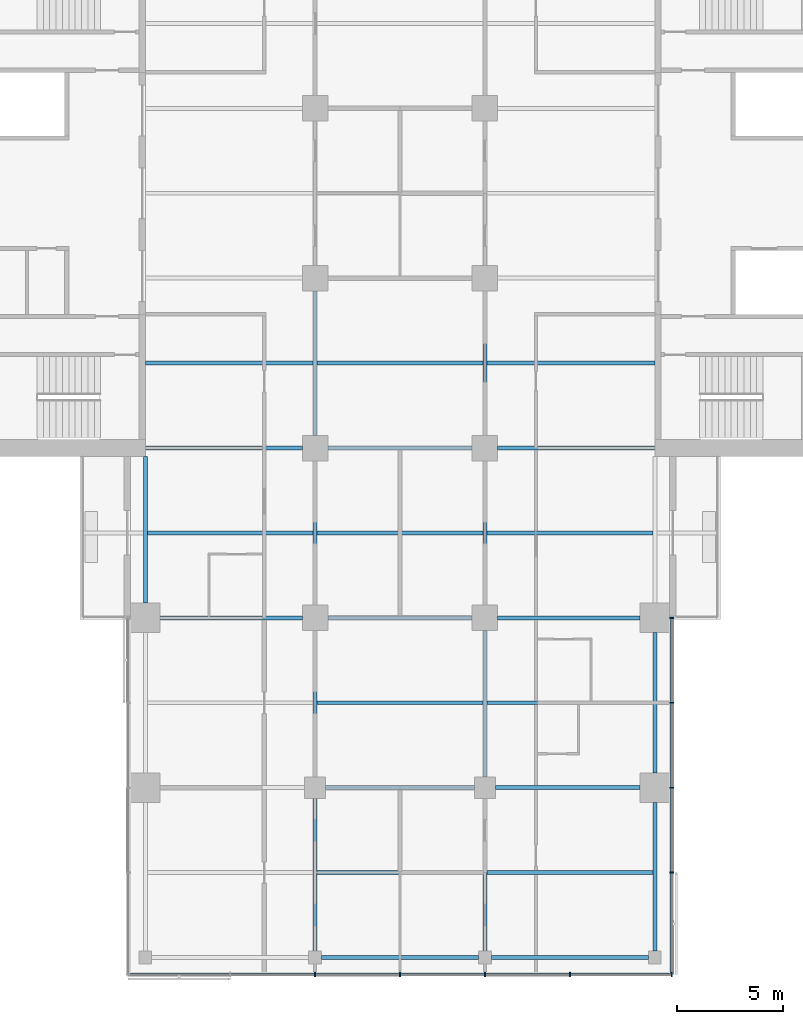
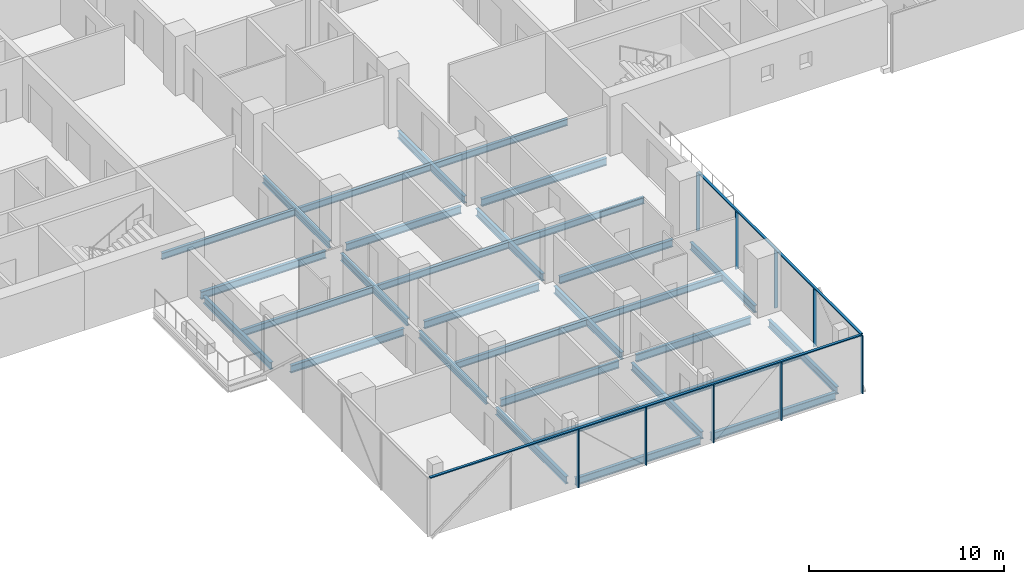
# One storey, part 4 of 27: 31 beams, 11 members, 2 elements without a shape of their own.
"""IFC4 building model written with IfcOpenShell, lengths in metres."""

from ifc_helpers import new_model, si_unit, direction, frame, origin, origin_2d, place, context, subcontext, project, spatial, rectangle, i_section, extrude, material, material_profile, profile_set, type_object, element, aggregate, save


model = new_model("IFC4")

# Units and contexts
model_context = context("Model", 3, precision=1e-05, world=origin(), true_north=direction((0.0, 1.0)))
body_context = subcontext(model_context, "Body", "Model", "MODEL_VIEW")
ifc_project = project(units=[si_unit("LENGTHUNIT", "METRE"), si_unit("AREAUNIT", "SQUARE_METRE"), si_unit("VOLUMEUNIT", "CUBIC_METRE"), si_unit("PLANEANGLEUNIT", "RADIAN"), si_unit("MASSUNIT", "GRAM", prefix="KILO")], contexts=[model_context])

# Site, building, storey
site_placement = place(None, origin())
site = spatial("IfcSite", under=ifc_project, at=site_placement, CompositionType="ELEMENT")
building_placement = place(site_placement, origin())
building = spatial("IfcBuilding", under=site, at=building_placement, Name="Crosswind Convention Tower", CompositionType="ELEMENT")
storey_placement = place(building_placement, frame((0.0, 0.0, 86.800048828125)))
storey = spatial("IfcBuildingStorey", under=building, at=storey_placement, Name="L16", CompositionType="ELEMENT", Elevation=86.800048828125)

# Beams
ifc_material_1 = material(Name="Steel S355", Category="steel")
ifc_material_profile_1 = material_profile(ifc_material_1, i_section(OverallWidth=0.1904296875, OverallDepth=0.457275390625, WebThickness=0.009033203125, FlangeThickness=0.014404296875, FilletRadius=0.01025390625, at=origin_2d()), Name="UB 457x191x75")
ifc_profile_set_1 = profile_set([ifc_material_profile_1], Name="Steel S355")
beam_type_1 = type_object("IfcBeamType", Name="Edge beam UB 457x191x75", PredefinedType="SPANDREL", material=ifc_profile_set_1)
beam_1_placement = place(storey_placement, frame((113.0, 80.699951171875, -0.508544921875), z_axis=(0.0, 1.0, 0.0), x_axis=(-1.0, 0.0, 0.0)))
element("IfcBeam", 1, at=beam_1_placement, inside=storey, type_object=beam_type_1, Name="B17 L16 edge beam 8", PredefinedType="SPANDREL", context=body_context, shape_type="SweptSolid", body=[
    extrude(i_section(OverallWidth=0.1904296875, OverallDepth=0.457275390625, WebThickness=0.009033203125, FlangeThickness=0.014404296875, FilletRadius=0.01025390625, at=origin_2d()), origin(), (0.0, 0.0, 1.0), 6.900146484375),
])
for number, where, z_axis, x_axis, name in (
    (2, (121.300048828125, 64.0, -0.508544921875), (1.0, 0.0, 0.0), (0.0, 1.0, 0.0), "B17 L16 edge beam 14"),
    (3, (129.300048828125, 64.0, -0.508544921875), (1.0, 0.0, 0.0), (0.0, 1.0, 0.0), "B17 L16 edge beam 16"),
):
    element("IfcBeam", number, at=place(storey_placement, frame(where, z_axis=z_axis, x_axis=x_axis)), inside=storey, type_object=beam_type_1, Name=name, PredefinedType="SPANDREL", context=body_context, shape_type="SweptSolid", body=[
        extrude(i_section(OverallWidth=0.1904296875, OverallDepth=0.457275390625, WebThickness=0.009033203125, FlangeThickness=0.014404296875, FilletRadius=0.01025390625, at=origin_2d()), origin(), (0.0, 0.0, 1.0), 7.39990234375),
    ])
beam_2_placement = place(storey_placement, frame((137.0, 64.300048828125, -0.508544921875), z_axis=(0.0, 1.0, 0.0), x_axis=(-1.0, 0.0, 0.0)))
element("IfcBeam", 4, at=beam_2_placement, inside=storey, type_object=beam_type_1, Name="B17 L16 edge beam 18", PredefinedType="SPANDREL", context=body_context, shape_type="SweptSolid", body=[
    extrude(i_section(OverallWidth=0.1904296875, OverallDepth=0.457275390625, WebThickness=0.009033203125, FlangeThickness=0.014404296875, FilletRadius=0.01025390625, at=origin_2d()), origin(), (0.0, 0.0, 1.0), 7.0),
])
beam_3_placement = place(storey_placement, frame((137.0, 72.699951171875, -0.508544921875), z_axis=(0.0, 1.0, 0.0), x_axis=(-1.0, 0.0, 0.0)))
element("IfcBeam", 5, at=beam_3_placement, inside=storey, type_object=beam_type_1, Name="B17 L16 edge beam 19", PredefinedType="SPANDREL", context=body_context, shape_type="SweptSolid", body=[
    extrude(i_section(OverallWidth=0.1904296875, OverallDepth=0.457275390625, WebThickness=0.009033203125, FlangeThickness=0.014404296875, FilletRadius=0.01025390625, at=origin_2d()), origin(), (0.0, 0.0, 1.0), 6.60009765625),
])
ifc_material_profile_2 = material_profile(ifc_material_1, i_section(OverallWidth=0.19140625, OverallDepth=0.460205078125, WebThickness=0.010009765625, FlangeThickness=0.01611328125, FilletRadius=0.01025390625, at=origin_2d()), Name="UB 457x191x82")
ifc_profile_set_2 = profile_set([ifc_material_profile_2], Name="Steel S355")
beam_type_2 = type_object("IfcBeamType", Name="Girder UB 457x191x82", PredefinedType="BEAM", material=ifc_profile_set_2)
beam_4_placement = place(storey_placement, frame((113.699951171875, 80.0, -0.51025390625), z_axis=(1.0, 0.0, 0.0), x_axis=(0.0, 1.0, 0.0)))
element("IfcBeam", 6, at=beam_4_placement, inside=storey, type_object=beam_type_2, Name="B3 L16 girder 2", PredefinedType="BEAM", context=body_context, shape_type="SweptSolid", body=[
    extrude(i_section(OverallWidth=0.19140625, OverallDepth=0.460205078125, WebThickness=0.010009765625, FlangeThickness=0.01611328125, FilletRadius=0.01025390625, at=origin_2d()), origin(), (0.0, 0.0, 1.0), 6.699951171875),
])
beam_5_placement = place(storey_placement, frame((121.0, 64.300048828125, -0.51025390625), z_axis=(0.0, 1.0, 0.0), x_axis=(-1.0, 0.0, 0.0)))
element("IfcBeam", 7, at=beam_5_placement, inside=storey, type_object=beam_type_2, Name="B3 L16 girder 5", PredefinedType="BEAM", context=body_context, shape_type="SweptSolid", body=[
    extrude(i_section(OverallWidth=0.19140625, OverallDepth=0.460205078125, WebThickness=0.010009765625, FlangeThickness=0.01611328125, FilletRadius=0.01025390625, at=origin_2d()), origin(), (0.0, 0.0, 1.0), 7.199951171875),
])
beam_6_placement = place(storey_placement, frame((121.0, 72.5, -0.51025390625), z_axis=(0.0, 1.0, 0.0), x_axis=(-1.0, 0.0, 0.0)))
element("IfcBeam", 8, at=beam_6_placement, inside=storey, type_object=beam_type_2, Name="B3 L16 girder 6", PredefinedType="BEAM", context=body_context, shape_type="SweptSolid", body=[
    extrude(i_section(OverallWidth=0.19140625, OverallDepth=0.460205078125, WebThickness=0.010009765625, FlangeThickness=0.01611328125, FilletRadius=0.01025390625, at=origin_2d()), origin(), (0.0, 0.0, 1.0), 6.89990234375),
])
for number, where, z_axis, x_axis, name in (
    (9, (121.0, 80.60009765625, -0.51025390625), (0.0, 1.0, 0.0), (-1.0, 0.0, 0.0), "B3 L16 girder 7"),
    (10, (121.0, 88.60009765625, -0.51025390625), (0.0, 1.0, 0.0), (-1.0, 0.0, 0.0), "B3 L16 girder 8"),
):
    element("IfcBeam", number, at=place(storey_placement, frame(where, z_axis=z_axis, x_axis=x_axis)), inside=storey, type_object=beam_type_2, Name=name, PredefinedType="BEAM", context=body_context, shape_type="SweptSolid", body=[
        extrude(i_section(OverallWidth=0.19140625, OverallDepth=0.460205078125, WebThickness=0.010009765625, FlangeThickness=0.01611328125, FilletRadius=0.01025390625, at=origin_2d()), origin(), (0.0, 0.0, 1.0), 6.7998046875),
    ])
beam_7_placement = place(storey_placement, frame((121.5, 72.0, -0.51025390625), z_axis=(1.0, 0.0, 0.0), x_axis=(0.0, 1.0, 0.0)))
element("IfcBeam", 11, at=beam_7_placement, inside=storey, type_object=beam_type_2, Name="B3 L16 girder 14", PredefinedType="BEAM", context=body_context, shape_type="SweptSolid", body=[
    extrude(i_section(OverallWidth=0.19140625, OverallDepth=0.460205078125, WebThickness=0.010009765625, FlangeThickness=0.01611328125, FilletRadius=0.01025390625, at=origin_2d()), origin(), (0.0, 0.0, 1.0), 7.0),
])
for number, where, z_axis, x_axis, name in (
    (12, (121.60009765625, 80.0, -0.51025390625), (1.0, 0.0, 0.0), (0.0, 1.0, 0.0), "B3 L16 girder 16"),
    (13, (121.60009765625, 88.0, -0.51025390625), (1.0, 0.0, 0.0), (0.0, 1.0, 0.0), "B3 L16 girder 17"),
):
    element("IfcBeam", number, at=place(storey_placement, frame(where, z_axis=z_axis, x_axis=x_axis)), inside=storey, type_object=beam_type_2, Name=name, PredefinedType="BEAM", context=body_context, shape_type="SweptSolid", body=[
        extrude(i_section(OverallWidth=0.19140625, OverallDepth=0.460205078125, WebThickness=0.010009765625, FlangeThickness=0.01611328125, FilletRadius=0.01025390625, at=origin_2d()), origin(), (0.0, 0.0, 1.0), 6.7998046875),
    ])
beam_8_placement = place(storey_placement, frame((129.0, 64.300048828125, -0.51025390625), z_axis=(0.0, 1.0, 0.0), x_axis=(-1.0, 0.0, 0.0)))
element("IfcBeam", 14, at=beam_8_placement, inside=storey, type_object=beam_type_2, Name="B3 L16 girder 22", PredefinedType="BEAM", context=body_context, shape_type="SweptSolid", body=[
    extrude(i_section(OverallWidth=0.19140625, OverallDepth=0.460205078125, WebThickness=0.010009765625, FlangeThickness=0.01611328125, FilletRadius=0.01025390625, at=origin_2d()), origin(), (0.0, 0.0, 1.0), 7.199951171875),
])
beam_9_placement = place(storey_placement, frame((129.0, 72.5, -0.51025390625), z_axis=(0.0, 1.0, 0.0), x_axis=(-1.0, 0.0, 0.0)))
element("IfcBeam", 15, at=beam_9_placement, inside=storey, type_object=beam_type_2, Name="B3 L16 girder 23", PredefinedType="BEAM", context=body_context, shape_type="SweptSolid", body=[
    extrude(i_section(OverallWidth=0.19140625, OverallDepth=0.460205078125, WebThickness=0.010009765625, FlangeThickness=0.01611328125, FilletRadius=0.01025390625, at=origin_2d()), origin(), (0.0, 0.0, 1.0), 6.89990234375),
])
for number, where, z_axis, x_axis, name in (
    (16, (129.0, 80.60009765625, -0.51025390625), (0.0, 1.0, 0.0), (-1.0, 0.0, 0.0), "B3 L16 girder 24"),
    (17, (129.0, 88.60009765625, -0.51025390625), (0.0, 1.0, 0.0), (-1.0, 0.0, 0.0), "B3 L16 girder 25"),
):
    element("IfcBeam", number, at=place(storey_placement, frame(where, z_axis=z_axis, x_axis=x_axis)), inside=storey, type_object=beam_type_2, Name=name, PredefinedType="BEAM", context=body_context, shape_type="SweptSolid", body=[
        extrude(i_section(OverallWidth=0.19140625, OverallDepth=0.460205078125, WebThickness=0.010009765625, FlangeThickness=0.01611328125, FilletRadius=0.01025390625, at=origin_2d()), origin(), (0.0, 0.0, 1.0), 6.7998046875),
    ])
beam_10_placement = place(storey_placement, frame((129.5, 72.0, -0.51025390625), z_axis=(1.0, 0.0, 0.0), x_axis=(0.0, 1.0, 0.0)))
element("IfcBeam", 18, at=beam_10_placement, inside=storey, type_object=beam_type_2, Name="B3 L16 girder 31", PredefinedType="BEAM", context=body_context, shape_type="SweptSolid", body=[
    extrude(i_section(OverallWidth=0.19140625, OverallDepth=0.460205078125, WebThickness=0.010009765625, FlangeThickness=0.01611328125, FilletRadius=0.01025390625, at=origin_2d()), origin(), (0.0, 0.0, 1.0), 6.800048828125),
])
beam_11_placement = place(storey_placement, frame((129.60009765625, 80.0, -0.51025390625), z_axis=(1.0, 0.0, 0.0), x_axis=(0.0, 1.0, 0.0)))
element("IfcBeam", 19, at=beam_11_placement, inside=storey, type_object=beam_type_2, Name="B3 L16 girder 33", PredefinedType="BEAM", context=body_context, shape_type="SweptSolid", body=[
    extrude(i_section(OverallWidth=0.19140625, OverallDepth=0.460205078125, WebThickness=0.010009765625, FlangeThickness=0.01611328125, FilletRadius=0.01025390625, at=origin_2d()), origin(), (0.0, 0.0, 1.0), 6.699951171875),
])
ifc_material_profile_3 = material_profile(ifc_material_1, i_section(OverallWidth=0.19189453125, OverallDepth=0.463623046875, WebThickness=0.010498046875, FlangeThickness=0.017578125, FilletRadius=0.01025390625, at=origin_2d()), Name="UB 457x191x90")
ifc_profile_set_3 = profile_set([ifc_material_profile_3], Name="Steel S355")
beam_type_3 = type_object("IfcBeamType", Name="Girder at core wall UB 457x191x90", PredefinedType="BEAM", material=ifc_profile_set_3)
for number, where, z_axis, x_axis, name in (
    (20, (113.0, 88.0, -0.511962890625), (1.0, 0.0, 0.0), (0.0, 1.0, 0.0), "B24 L16 girder at core wall 3"),
    (21, (129.60009765625, 88.0, -0.511962890625), (1.0, 0.0, 0.0), (0.0, 1.0, 0.0), "B24 L16 girder at core wall 7"),
):
    element("IfcBeam", number, at=place(storey_placement, frame(where, z_axis=z_axis, x_axis=x_axis)), inside=storey, type_object=beam_type_3, Name=name, PredefinedType="BEAM", context=body_context, shape_type="SweptSolid", body=[
        extrude(i_section(OverallWidth=0.19189453125, OverallDepth=0.463623046875, WebThickness=0.010498046875, FlangeThickness=0.017578125, FilletRadius=0.01025390625, at=origin_2d()), origin(), (0.0, 0.0, 1.0), 7.39990234375),
    ])

# Curtain wall, members
ifc_material_2 = material(Name="Aluminium unitised curtain wall", Category="aluminium")
curtain_wall_type = type_object("IfcCurtainWallType", Name="HOTEL UNITISED WALL 200", PredefinedType="USERDEFINED", material=ifc_material_2)
curtain_wall_1_placement = place(storey_placement, origin())
curtain_wall_1 = element("IfcCurtainWall", 22, at=curtain_wall_1_placement, inside=storey, type_object=curtain_wall_type, Name="CW2 L16 S-TIP 1", ObjectType="UNITISED", PredefinedType="USERDEFINED")
ifc_material_3 = material(Name="Aluminium mullion", Category="aluminium")
ifc_material_profile_4 = material_profile(ifc_material_3, rectangle(XDim=0.199951171875, YDim=0.06494140625, at=origin_2d()), Name="AL 200X65")
ifc_profile_set_4 = profile_set([ifc_material_profile_4], Name="Aluminium mullion")
member_type_1 = type_object("IfcMemberType", Name="MULLION 65X200", PredefinedType="MULLION", material=ifc_profile_set_4)
member_1_placement = place(storey_placement, frame((121.0, 63.199951171875, -0.280029296875), z_axis=(0.0, 0.0, 1.0), x_axis=(0.0, -1.0, 0.0)))
member_1 = element("IfcMember", 23, at=member_1_placement, type_object=member_type_1, Name="CW2 mullion 3", PredefinedType="MULLION", context=body_context, shape_type="SweptSolid", body=[
    extrude(rectangle(XDim=0.199951171875, YDim=0.06494140625, at=origin_2d()), origin(), (0.0, 0.0, 1.0), 3.635009765625),
])
member_2_placement = place(storey_placement, frame((125.0, 63.199951171875, -0.280029296875), z_axis=(0.0, 0.0, 1.0), x_axis=(0.0, -1.0, 0.0)))
member_2 = element("IfcMember", 24, at=member_2_placement, type_object=member_type_1, Name="CW2 mullion 4", PredefinedType="MULLION", context=body_context, shape_type="SweptSolid", body=[
    extrude(rectangle(XDim=0.199951171875, YDim=0.06494140625, at=origin_2d()), origin(), (0.0, 0.0, 1.0), 3.635009765625),
])
member_3_placement = place(storey_placement, frame((129.0, 63.199951171875, -0.280029296875), z_axis=(0.0, 0.0, 1.0), x_axis=(0.0, -1.0, 0.0)))
member_3 = element("IfcMember", 25, at=member_3_placement, type_object=member_type_1, Name="CW2 mullion 5", PredefinedType="MULLION", context=body_context, shape_type="SweptSolid", body=[
    extrude(rectangle(XDim=0.199951171875, YDim=0.06494140625, at=origin_2d()), origin(), (0.0, 0.0, 1.0), 3.635009765625),
])
member_4_placement = place(storey_placement, frame((133.0, 63.199951171875, -0.280029296875), z_axis=(0.0, 0.0, 1.0), x_axis=(0.0, -1.0, 0.0)))
member_4 = element("IfcMember", 26, at=member_4_placement, type_object=member_type_1, Name="CW2 mullion 6", PredefinedType="MULLION", context=body_context, shape_type="SweptSolid", body=[
    extrude(rectangle(XDim=0.199951171875, YDim=0.06494140625, at=origin_2d()), origin(), (0.0, 0.0, 1.0), 3.635009765625),
])
member_5_placement = place(storey_placement, frame((137.800048828125, 63.199951171875, -0.280029296875), z_axis=(0.0, 0.0, 1.0), x_axis=(0.0, -1.0, 0.0)))
member_5 = element("IfcMember", 27, at=member_5_placement, type_object=member_type_1, Name="CW2 mullion 7", PredefinedType="MULLION", context=body_context, shape_type="SweptSolid", body=[
    extrude(rectangle(XDim=0.199951171875, YDim=0.06494140625, at=origin_2d()), origin(), (0.0, 0.0, 1.0), 3.635009765625),
])

curtain_wall_2_placement = place(storey_placement, origin())
curtain_wall_2 = element("IfcCurtainWall", 28, at=curtain_wall_2_placement, inside=storey, type_object=curtain_wall_type, Name="CW2 L16 S-E 1", ObjectType="UNITISED", PredefinedType="USERDEFINED")
member_6_placement = place(storey_placement, frame((137.800048828125, 68.0, -0.280029296875), z_axis=(0.0, 0.0, 1.0), x_axis=(1.0, 0.0, 0.0)))
member_6 = element("IfcMember", 29, at=member_6_placement, type_object=member_type_1, Name="CW2 mullion 2", PredefinedType="MULLION", context=body_context, shape_type="SweptSolid", body=[
    extrude(rectangle(XDim=0.199951171875, YDim=0.06494140625, at=origin_2d()), origin(), (0.0, 0.0, 1.0), 3.635009765625),
])
member_7_placement = place(storey_placement, frame((137.800048828125, 72.0, -0.280029296875), z_axis=(0.0, 0.0, 1.0), x_axis=(1.0, 0.0, 0.0)))
member_7 = element("IfcMember", 30, at=member_7_placement, type_object=member_type_1, Name="CW2 mullion 3", PredefinedType="MULLION", context=body_context, shape_type="SweptSolid", body=[
    extrude(rectangle(XDim=0.199951171875, YDim=0.06494140625, at=origin_2d()), origin(), (0.0, 0.0, 1.0), 3.635009765625),
])
member_8_placement = place(storey_placement, frame((137.800048828125, 76.0, -0.280029296875), z_axis=(0.0, 0.0, 1.0), x_axis=(1.0, 0.0, 0.0)))
member_8 = element("IfcMember", 31, at=member_8_placement, type_object=member_type_1, Name="CW2 mullion 4", PredefinedType="MULLION", context=body_context, shape_type="SweptSolid", body=[
    extrude(rectangle(XDim=0.199951171875, YDim=0.06494140625, at=origin_2d()), origin(), (0.0, 0.0, 1.0), 3.635009765625),
])
member_9_placement = place(storey_placement, frame((137.800048828125, 80.0, -0.280029296875), z_axis=(0.0, 0.0, 1.0), x_axis=(1.0, 0.0, 0.0)))
member_9 = element("IfcMember", 32, at=member_9_placement, type_object=member_type_1, Name="CW2 mullion 5", PredefinedType="MULLION", context=body_context, shape_type="SweptSolid", body=[
    extrude(rectangle(XDim=0.199951171875, YDim=0.06494140625, at=origin_2d()), origin(), (0.0, 0.0, 1.0), 3.635009765625),
])

# Beams
ifc_material_profile_5 = material_profile(ifc_material_1, i_section(OverallWidth=0.177734375, OverallDepth=0.406494140625, WebThickness=0.0078125, FlangeThickness=0.0126953125, FilletRadius=0.01025390625, at=origin_2d()), Name="UB 406x178x60")
ifc_profile_set_5 = profile_set([ifc_material_profile_5], Name="Steel S355")
beam_type_4 = type_object("IfcBeamType", Name="Secondary beam UB 406x178x60", PredefinedType="JOIST", material=ifc_profile_set_5)
beam_12_placement = place(storey_placement, frame((113.0, 92.0, -0.483154296875), z_axis=(1.0, 0.0, 0.0), x_axis=(0.0, 1.0, 0.0)))
element("IfcBeam", 33, at=beam_12_placement, inside=storey, type_object=beam_type_4, Name="B10 L16 secondary beam 4", PredefinedType="JOIST", context=body_context, shape_type="SweptSolid", body=[
    extrude(i_section(OverallWidth=0.177734375, OverallDepth=0.406494140625, WebThickness=0.0078125, FlangeThickness=0.0126953125, FilletRadius=0.01025390625, at=origin_2d()), origin(), (0.0, 0.0, 1.0), 7.904296875),
])
beam_13_placement = place(storey_placement, frame((113.09521484375, 84.0, -0.483154296875), z_axis=(1.0, 0.0, 0.0), x_axis=(0.0, 1.0, 0.0)))
element("IfcBeam", 34, at=beam_13_placement, inside=storey, type_object=beam_type_4, Name="B10 L16 secondary beam 9", PredefinedType="JOIST", context=body_context, shape_type="SweptSolid", body=[
    extrude(i_section(OverallWidth=0.177734375, OverallDepth=0.406494140625, WebThickness=0.0078125, FlangeThickness=0.0126953125, FilletRadius=0.01025390625, at=origin_2d()), origin(), (0.0, 0.0, 1.0), 7.80908203125),
])
for number, where, z_axis, x_axis, name in (
    (35, (121.095703125, 68.0, -0.483154296875), (1.0, 0.0, 0.0), (0.0, 1.0, 0.0), "B10 L16 secondary beam 13"),
    (36, (121.095703125, 76.0, -0.483154296875), (1.0, 0.0, 0.0), (0.0, 1.0, 0.0), "B10 L16 secondary beam 14"),
    (37, (121.095703125, 84.0, -0.483154296875), (1.0, 0.0, 0.0), (0.0, 1.0, 0.0), "B10 L16 secondary beam 15"),
    (38, (121.095703125, 92.0, -0.483154296875), (1.0, 0.0, 0.0), (0.0, 1.0, 0.0), "B10 L16 secondary beam 16"),
):
    element("IfcBeam", number, at=place(storey_placement, frame(where, z_axis=z_axis, x_axis=x_axis)), inside=storey, type_object=beam_type_4, Name=name, PredefinedType="JOIST", context=body_context, shape_type="SweptSolid", body=[
        extrude(i_section(OverallWidth=0.177734375, OverallDepth=0.406494140625, WebThickness=0.0078125, FlangeThickness=0.0126953125, FilletRadius=0.01025390625, at=origin_2d()), origin(), (0.0, 0.0, 1.0), 7.80859375),
    ])
for number, where, z_axis, x_axis, name in (
    (39, (129.095703125, 68.0, -0.483154296875), (1.0, 0.0, 0.0), (0.0, 1.0, 0.0), "B10 L16 secondary beam 22"),
    (40, (129.095703125, 76.0, -0.483154296875), (1.0, 0.0, 0.0), (0.0, 1.0, 0.0), "B10 L16 secondary beam 23"),
    (41, (129.095703125, 84.0, -0.483154296875), (1.0, 0.0, 0.0), (0.0, 1.0, 0.0), "B10 L16 secondary beam 24"),
):
    element("IfcBeam", number, at=place(storey_placement, frame(where, z_axis=z_axis, x_axis=x_axis)), inside=storey, type_object=beam_type_4, Name=name, PredefinedType="JOIST", context=body_context, shape_type="SweptSolid", body=[
        extrude(i_section(OverallWidth=0.177734375, OverallDepth=0.406494140625, WebThickness=0.0078125, FlangeThickness=0.0126953125, FilletRadius=0.01025390625, at=origin_2d()), origin(), (0.0, 0.0, 1.0), 7.80908203125),
    ])
beam_14_placement = place(storey_placement, frame((129.095703125, 92.0, -0.483154296875), z_axis=(1.0, 0.0, 0.0), x_axis=(0.0, 1.0, 0.0)))
element("IfcBeam", 42, at=beam_14_placement, inside=storey, type_object=beam_type_4, Name="B10 L16 secondary beam 25", PredefinedType="JOIST", context=body_context, shape_type="SweptSolid", body=[
    extrude(i_section(OverallWidth=0.177734375, OverallDepth=0.406494140625, WebThickness=0.0078125, FlangeThickness=0.0126953125, FilletRadius=0.01025390625, at=origin_2d()), origin(), (0.0, 0.0, 1.0), 7.904296875),
])

# Member
ifc_material_4 = material(Name="Aluminium transom", Category="aluminium")
ifc_material_profile_6 = material_profile(ifc_material_4, rectangle(XDim=0.14990234375, YDim=0.06494140625, at=origin_2d()), Name="AL 150X65")
ifc_profile_set_6 = profile_set([ifc_material_profile_6], Name="Aluminium transom")
member_type_2 = type_object("IfcMemberType", Name="TRANSOM 65X150", PredefinedType="USERDEFINED", material=ifc_profile_set_6)
member_10_placement = place(storey_placement, frame((112.232421875, 63.199951171875, 3.387451171875), z_axis=(1.0, 0.0, 0.0), x_axis=(0.0, 1.0, 0.0)))
member_10 = element("IfcMember", 43, at=member_10_placement, type_object=member_type_2, Name="CW2 transom", ObjectType="TRANSOM", PredefinedType="USERDEFINED", context=body_context, shape_type="SweptSolid", body=[
    extrude(rectangle(XDim=0.14990234375, YDim=0.06494140625, at=origin_2d()), origin(), (0.0, 0.0, 1.0), 25.53515625),
])

aggregate(curtain_wall_1, [member_1, member_2, member_3, member_4, member_5, member_10])

member_11_placement = place(storey_placement, frame((137.800048828125, 63.232421875, 3.387451171875), z_axis=(0.0, 1.0, 0.0), x_axis=(-1.0, 0.0, 0.0)))
member_11 = element("IfcMember", 44, at=member_11_placement, type_object=member_type_2, Name="CW2 transom", ObjectType="TRANSOM", PredefinedType="USERDEFINED", context=body_context, shape_type="SweptSolid", body=[
    extrude(rectangle(XDim=0.14990234375, YDim=0.06494140625, at=origin_2d()), origin(), (0.0, 0.0, 1.0), 16.735107421875),
])

aggregate(curtain_wall_2, [member_6, member_7, member_8, member_9, member_11])

save(model, "model.ifc")
